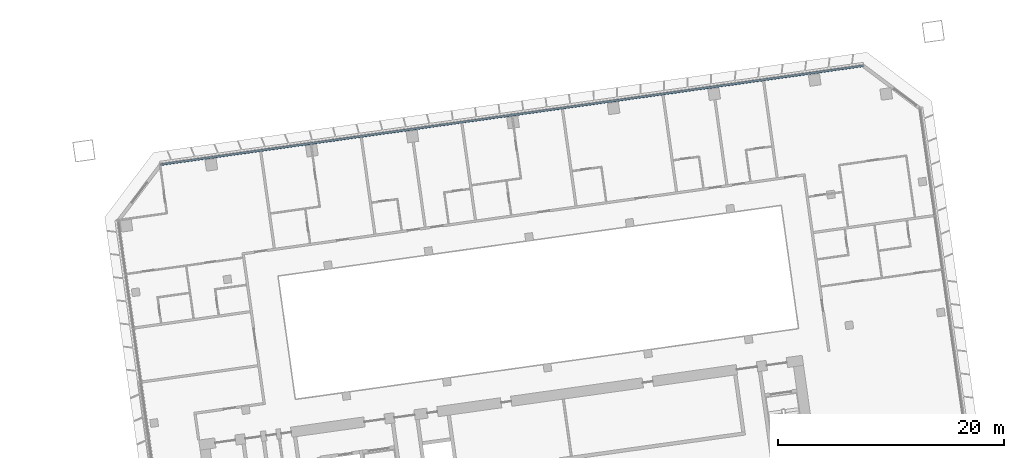
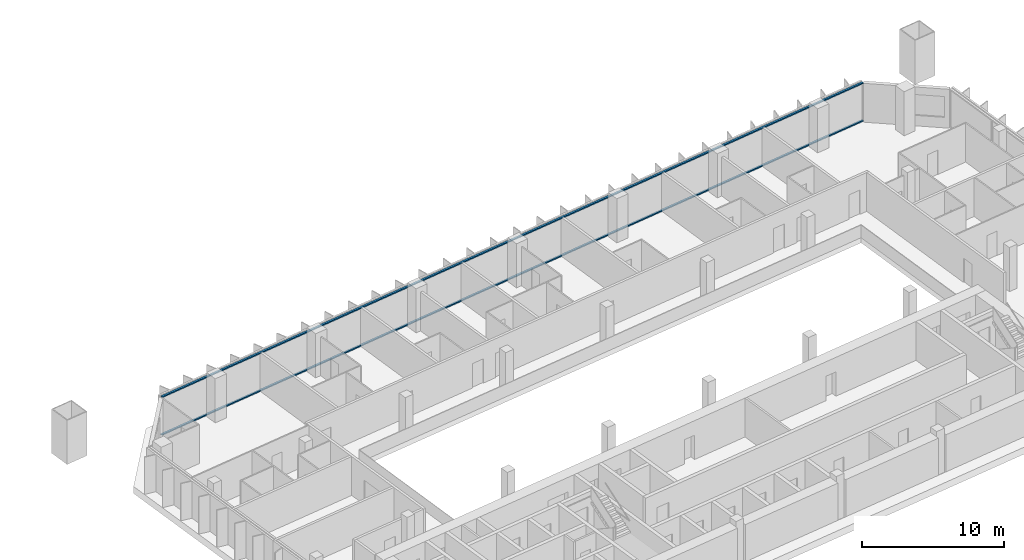
# One storey, part 9 of 24: 2 members, 1 element without a shape of its own.
"""IFC4 building model written with IfcOpenShell, lengths in metres."""

from ifc_helpers import new_model, si_unit, direction, frame, origin, origin_2d, place, context, subcontext, project, spatial, rectangle, extrude, material, material_profile, profile_set, type_object, element, aggregate, save


model = new_model("IFC4")

# Units and contexts
model_context = context("Model", 3, precision=1e-05, world=origin(), true_north=direction((0.0, 1.0)))
body_context = subcontext(model_context, "Body", "Model", "MODEL_VIEW")
ifc_project = project(units=[si_unit("LENGTHUNIT", "METRE"), si_unit("AREAUNIT", "SQUARE_METRE"), si_unit("VOLUMEUNIT", "CUBIC_METRE"), si_unit("PLANEANGLEUNIT", "RADIAN"), si_unit("MASSUNIT", "GRAM", prefix="KILO")], contexts=[model_context])

# Site, building, storey
site_placement = place(None, origin())
site = spatial("IfcSite", under=ifc_project, at=site_placement, CompositionType="ELEMENT")
building_placement = place(site_placement, origin())
building = spatial("IfcBuilding", under=site, at=building_placement, Name="Mirante Cascada Hotel Towers", CompositionType="ELEMENT")
storey_placement = place(building_placement, frame((0.0, 0.0, 85.1)))
storey = spatial("IfcBuildingStorey", under=building, at=storey_placement, Name="L18", CompositionType="ELEMENT", Elevation=85.1)

# Curtain wall, members
ifc_material_1 = material(Name="Aluminium mullion and transom frame with clear laminated glass", Category="aluminium")
curtain_wall_type = type_object("IfcCurtainWallType", Name="Ribbon curtain wall ECW1", PredefinedType="NOTDEFINED", material=ifc_material_1)
curtain_wall_placement = place(storey_placement, origin())
curtain_wall = element("IfcCurtainWall", 1, at=curtain_wall_placement, inside=storey, type_object=curtain_wall_type, Name="Front ribbon wall T2 L18", PredefinedType="NOTDEFINED")
ifc_material_2 = material(Name="Anodised aluminium extrusion", Category="aluminium")
ifc_material_profile = material_profile(ifc_material_2, rectangle(XDim=0.16, YDim=0.1, at=origin_2d()), Name="ECW1 TRANSOM 100x160")
ifc_profile_set = profile_set([ifc_material_profile], Name="Anodised aluminium extrusion")
member_type = type_object("IfcMemberType", Name="ECW1 transom 100x160", PredefinedType="USERDEFINED", material=ifc_profile_set)
member_1_placement = place(storey_placement, frame((94.1582, 26.0521, 0.05), z_axis=(-0.9902681, -0.1391728, 0.0), x_axis=(0.1391728, -0.9902681, 0.0)))
member_1 = element("IfcMember", 2, at=member_1_placement, type_object=member_type, Name="ECW1 sill transom", ObjectType="TRANSOM", PredefinedType="USERDEFINED", context=body_context, shape_type="SweptSolid", body=[
    extrude(rectangle(XDim=0.16, YDim=0.1, at=origin_2d()), origin(), (0.0, 0.0, 1.0), 62.8758),
])
member_2_placement = place(storey_placement, frame((94.1582, 26.0521, 3.3), z_axis=(-0.9902681, -0.1391728, 0.0), x_axis=(0.1391728, -0.9902681, 0.0)))
member_2 = element("IfcMember", 3, at=member_2_placement, type_object=member_type, Name="ECW1 head transom", ObjectType="TRANSOM", PredefinedType="USERDEFINED", context=body_context, shape_type="SweptSolid", body=[
    extrude(rectangle(XDim=0.16, YDim=0.1, at=origin_2d()), origin(), (0.0, 0.0, 1.0), 62.8758),
])
aggregate(curtain_wall, [member_1, member_2])

save(model, "model.ifc")
